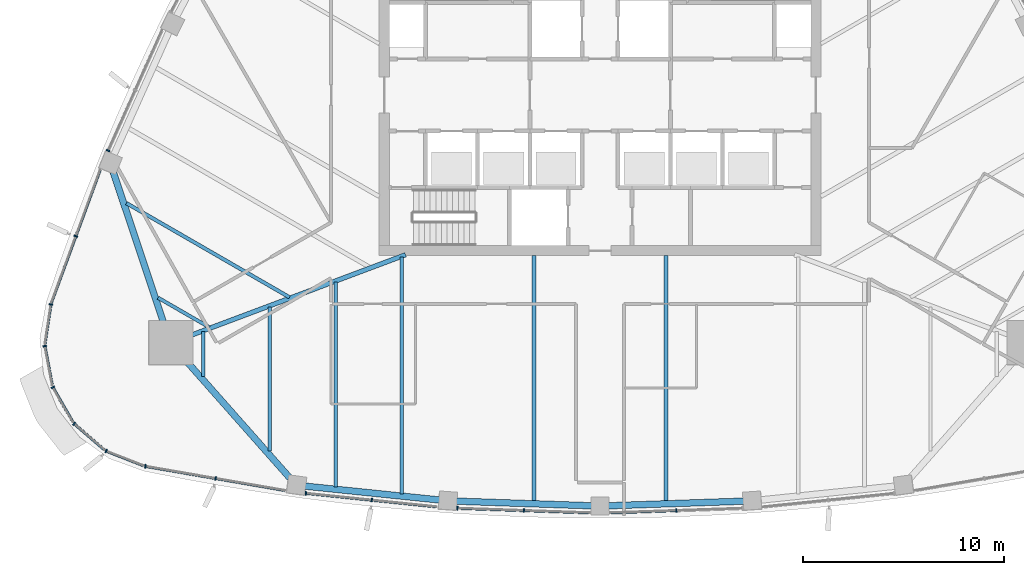
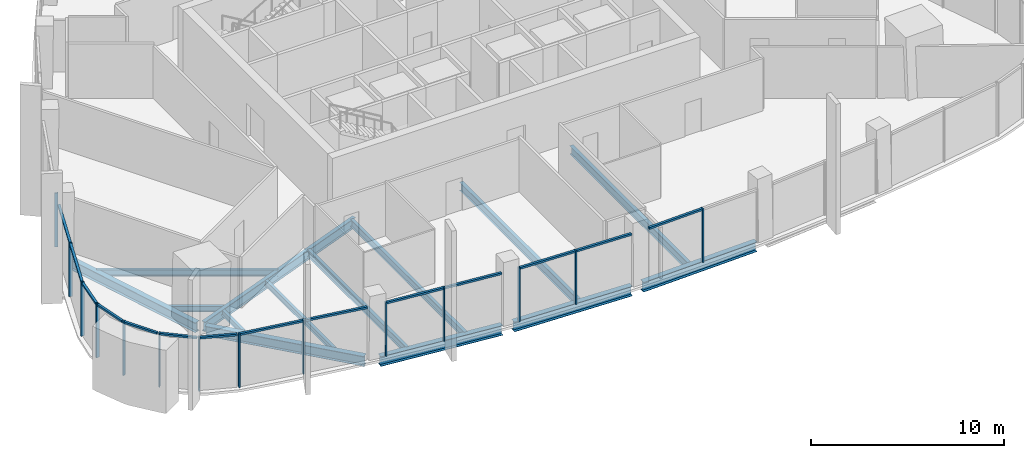
# One storey, part 2 of 18: 28 members, 14 beams, 11 elements without a shape of their own.
"""IFC4 building model written with IfcOpenShell, lengths in metres."""

import ifcopenshell
import ifcopenshell.guid

model = None  # the IFC model being written
_history = None  # IfcOwnerHistory: only IFC2X3 demands one
_inside = {}  # id of a spatial element -> (the spatial element, [elements in it])
_under = {}  # id of a project, library or spatial element -> (it, [spatial elements below it])
_declared = {}  # id of a project -> (the project, [libraries it declares])
_typed = {}  # id of a type object -> (the type object, [elements of that type])
_made_of = {}  # id of a material, layer set ... -> (it, [elements and type objects made of it])


def new_model(schema):
    """Start an empty IFC model of exactly this schema.

    Asked for "IFC4X3", IfcOpenShell would pick the latest addendum, in which some entities
    have other attributes; the version numbers below select the first issue.
    IFC2X3 requires an IfcOwnerHistory on every rooted entity: one is made here for all.
    """
    global model, _history
    if schema == "IFC4X3":
        model = ifcopenshell.file(schema_version=(4, 3, 0, 0))
    else:
        model = ifcopenshell.file(schema=schema)
    _inside.clear()
    _under.clear()
    _declared.clear()
    _typed.clear()
    _made_of.clear()
    _history = None
    if model.schema == "IFC2X3":
        org = make("IfcOrganization", Name="unknown")
        user = make(
            "IfcPersonAndOrganization",
            ThePerson=make("IfcPerson", FamilyName="unknown"),
            TheOrganization=org,
        )
        app = make(
            "IfcApplication",
            ApplicationDeveloper=org,
            Version="unknown",
            ApplicationFullName="unknown",
            ApplicationIdentifier="unknown",
        )
        _history = make(
            "IfcOwnerHistory",
            OwningUser=user,
            OwningApplication=app,
            ChangeAction="ADDED",
            CreationDate=0,
        )
    return model


def make(cls, **values):
    """One entity of the class cls with the attributes given. An attribute that is None is left unset."""
    return model.create_entity(
        cls, **{name: value for name, value in values.items() if value is not None}
    )


def rooted(cls, **values):
    """An entity with a GlobalId (a new one), such as an element, a storey or a relation."""
    return make(cls, GlobalId=ifcopenshell.guid.new(), OwnerHistory=_history, **values)


def si_unit(unit_type, name, prefix=None):
    """IfcSIUnit, for example si_unit("LENGTHUNIT", "METRE", prefix="MILLI")."""
    return make("IfcSIUnit", UnitType=unit_type, Prefix=prefix, Name=name)


def assignment(units):
    """IfcUnitAssignment: the units of a project."""
    return None if units is None else make("IfcUnitAssignment", Units=units)


def point(xyz):
    """IfcCartesianPoint."""
    return None if xyz is None else make("IfcCartesianPoint", Coordinates=xyz)


def direction(xyz):
    """IfcDirection."""
    return None if xyz is None else make("IfcDirection", DirectionRatios=xyz)


def frame(location, z_axis=None, x_axis=None):
    """IfcAxis2Placement3D, a coordinate frame: its origin and axes. An axis left out is left unset."""
    return make(
        "IfcAxis2Placement3D",
        Location=point(location),
        Axis=direction(z_axis),
        RefDirection=direction(x_axis),
    )


def frame_2d(location, x_axis=None):
    """IfcAxis2Placement2D, a coordinate frame in the plane: its origin and x axis."""
    return make(
        "IfcAxis2Placement2D", Location=point(location), RefDirection=direction(x_axis)
    )


def origin():
    """The frame at (0, 0, 0) with its axes left unset."""
    return frame((0.0, 0.0, 0.0))


def origin_2d():
    """The frame at (0, 0) in the plane with its x axis left unset."""
    return frame_2d((0.0, 0.0))


def place(relative_to, where):
    """IfcLocalPlacement: puts the frame where relative to a parent placement (None: the world)."""
    return make(
        "IfcLocalPlacement", PlacementRelTo=relative_to, RelativePlacement=where
    )


def context(
    kind, dimensions, precision=None, world=None, true_north=None, identifier=None
):
    """IfcGeometricRepresentationContext, for example the 3D "Model" context."""
    return make(
        "IfcGeometricRepresentationContext",
        ContextIdentifier=identifier,
        ContextType=kind,
        CoordinateSpaceDimension=dimensions,
        Precision=precision,
        WorldCoordinateSystem=world,
        TrueNorth=true_north,
    )


def subcontext(parent, identifier, kind, view, scale=None):
    """IfcGeometricRepresentationSubContext, for example "Body" below "Model"."""
    return make(
        "IfcGeometricRepresentationSubContext",
        ContextIdentifier=identifier,
        ContextType=kind,
        ParentContext=parent,
        TargetScale=scale,
        TargetView=view,
    )


def project(units=None, contexts=None):
    """IfcProject with its units and contexts."""
    return rooted(
        "IfcProject",
        Name="project",
        RepresentationContexts=contexts,
        UnitsInContext=assignment(units),
    )


def spatial(cls, under=None, at=None, **own):
    """A site, building, storey or space (cls), placed at a placement, below another one or the project."""
    s = rooted(cls, ObjectPlacement=at, **own)
    if under is not None:
        _under.setdefault(under.id(), (under, []))[1].append(s)
    return s


def profile(cls, at=None, kind="AREA", **sizes):
    """A parametric profile (cls). Its sizes go by their IFC names, for example OverallWidth=200.0."""
    return make(cls, ProfileType=kind, Position=at, **sizes)


def rectangle(**sizes):
    """IfcRectangleProfileDef."""
    return profile("IfcRectangleProfileDef", **sizes)


def i_section(**sizes):
    """IfcIShapeProfileDef."""
    return profile("IfcIShapeProfileDef", **sizes)


def extrude(swept, where, along, depth):
    """IfcExtrudedAreaSolid: the profile swept, set in the frame where, extruded along a direction by depth."""
    return make(
        "IfcExtrudedAreaSolid",
        SweptArea=swept,
        Position=where,
        ExtrudedDirection=direction(along),
        Depth=depth,
    )


def shape(context_of_items, identifier, shape_type, items):
    """IfcShapeRepresentation: the items that make up one representation, for example the "Body"."""
    return make(
        "IfcShapeRepresentation",
        ContextOfItems=context_of_items,
        RepresentationIdentifier=identifier,
        RepresentationType=shape_type,
        Items=items,
    )


def material(Name=None, Category=None):
    """IfcMaterial."""
    return make("IfcMaterial", Name=Name, Category=Category)


def layer(
    of_material, thickness, ventilated=None, Name=None, Category=None, Priority=None
):
    """IfcMaterialLayer: one layer of a wall or slab, of a material (None: an air gap)."""
    return make(
        "IfcMaterialLayer",
        Material=of_material,
        LayerThickness=thickness,
        IsVentilated=ventilated,
        Name=Name,
        Category=Category,
        Priority=Priority,
    )


def layer_set(layers, Name=None):
    """IfcMaterialLayerSet."""
    return make("IfcMaterialLayerSet", MaterialLayers=layers, LayerSetName=Name)


def material_profile(
    of_material, cross_section, Name=None, Category=None, Priority=None
):
    """IfcMaterialProfile: a cross section and its material."""
    return make(
        "IfcMaterialProfile",
        Name=Name,
        Material=of_material,
        Profile=cross_section,
        Priority=Priority,
        Category=Category,
    )


def profile_set(profiles, Name=None, composite=None):
    """IfcMaterialProfileSet."""
    return make(
        "IfcMaterialProfileSet",
        Name=Name,
        MaterialProfiles=profiles,
        CompositeProfile=composite,
    )


def made_of(thing, what):
    """Note that an element or type object is made of a material, layer set ...; save() writes the relation."""
    if what is not None:
        _made_of.setdefault(what.id(), (what, []))[1].append(thing)
    return thing


def type_object(cls, material=None, **own):
    """A type object (cls), such as IfcWallType, which elements share."""
    return made_of(rooted(cls, **own), material)


def element(
    cls,
    number,
    at=None,
    inside=None,
    cuts=None,
    type_object=None,
    material=None,
    context=None,
    identifier="Body",
    shape_type=None,
    held_by="IfcProductDefinitionShape",
    body=None,
    shapes=None,
    **own,
):
    """One element of the class cls, such as IfcWall. Its Tag is "e" and its number.

    at: its placement. inside: the storey or other place that contains it. cuts: it is an
    opening in that element (IfcRelVoidsElement). A single representation is given by context,
    identifier, shape_type and body (its items); several are given by shapes. held_by: the class
    of the entity that holds the representations. save() writes the other relations.
    """
    e = rooted(cls, Tag="e%d" % number, ObjectPlacement=at, **own)
    if body is not None:
        shapes = [shape(context, identifier, shape_type, body)]
    if shapes is not None:
        e.Representation = make(held_by, Representations=shapes)
    if inside is not None:
        _inside.setdefault(inside.id(), (inside, []))[1].append(e)
    if cuts is not None:
        rooted(
            "IfcRelVoidsElement", RelatingBuildingElement=cuts, RelatedOpeningElement=e
        )
    if type_object is not None:
        _typed.setdefault(type_object.id(), (type_object, []))[1].append(e)
    return made_of(e, material)


def aggregate(whole, parts):
    """IfcRelAggregates: a whole, such as a stair, and the parts it consists of."""
    return rooted("IfcRelAggregates", RelatingObject=whole, RelatedObjects=parts)


def save(model, path):
    """Write the relations noted so far, then the file.

    IfcRelAggregates (storeys below a building ...), IfcRelContainedInSpatialStructure (elements
    in a storey), IfcRelDefinesByType, IfcRelAssociatesMaterial and IfcRelDeclares: one each for
    every whole, place, type object, material and project.
    """
    for whole, parts in _under.values():
        aggregate(whole, parts)
    for where, things in _inside.values():
        rooted(
            "IfcRelContainedInSpatialStructure",
            RelatedElements=things,
            RelatingStructure=where,
        )
    for kind, things in _typed.values():
        rooted("IfcRelDefinesByType", RelatedObjects=things, RelatingType=kind)
    for what, things in _made_of.values():
        rooted("IfcRelAssociatesMaterial", RelatedObjects=things, RelatingMaterial=what)
    for by, libraries in _declared.values():
        rooted("IfcRelDeclares", RelatingContext=by, RelatedDefinitions=libraries)
    model.write(path)


model = new_model("IFC4")

# Units and contexts
model_context = context("Model", 3, precision=1e-05, world=origin(), true_north=direction((0.0, 1.0)))
body_context = subcontext(model_context, "Body", "Model", "MODEL_VIEW")
ifc_project = project(units=[si_unit("LENGTHUNIT", "METRE"), si_unit("AREAUNIT", "SQUARE_METRE"), si_unit("VOLUMEUNIT", "CUBIC_METRE"), si_unit("PLANEANGLEUNIT", "RADIAN"), si_unit("MASSUNIT", "GRAM", prefix="KILO")], contexts=[model_context])

# Site, building, storey
site_placement = place(None, origin())
site = spatial("IfcSite", under=ifc_project, at=site_placement, CompositionType="ELEMENT")
building_placement = place(site_placement, origin())
building = spatial("IfcBuilding", under=site, at=building_placement, Name="Sierra Prisma Convention Tower", CompositionType="ELEMENT")
storey_placement = place(building_placement, frame((0.0, 0.0, 263.0)))
storey = spatial("IfcBuildingStorey", under=building, at=storey_placement, Name="L59", CompositionType="ELEMENT", Elevation=263.0)

# Curtain wall, members
ifc_material_1 = material(Name="Aluminium and glass curtain wall", Category="aluminium")
ifc_layer = layer(ifc_material_1, 0.179931640625)
ifc_layer_set = layer_set([ifc_layer], Name="CW-1 Plain shaft curtain wall")
curtain_wall_type = type_object("IfcCurtainWallType", Name="CW-1 Plain shaft curtain wall", PredefinedType="NOTDEFINED", material=ifc_layer_set)
curtain_wall_1_placement = place(storey_placement, origin())
curtain_wall_1 = element("IfcCurtainWall", 1, at=curtain_wall_1_placement, inside=storey, type_object=curtain_wall_type, Name="CW-1 S1 L59", PredefinedType="NOTDEFINED")
ifc_material_2 = material(Name="Aluminium 6063-T6 bronze anodised", Category="aluminium")
ifc_material_profile_1 = material_profile(ifc_material_2, rectangle(XDim=0.179931640625, YDim=0.070068359375, at=origin_2d()), Name="ALU MULLION 70x180")
ifc_profile_set_1 = profile_set([ifc_material_profile_1], Name="Aluminium 6063-T6 bronze anodised")
member_type_1 = type_object("IfcMemberType", Name="CW mullion bronze", PredefinedType="MULLION", material=ifc_profile_set_1)
member_1_placement = place(storey_placement, frame((-22.64453125, -18.493896484375, 0.0), z_axis=(0.0, 0.0, 1.0), x_axis=(0.170460967981, 0.985364429232, 0.0)))
member_1 = element("IfcMember", 2, at=member_1_placement, type_object=member_type_1, Name="CW-1 mullion S1.1", PredefinedType="MULLION", context=body_context, shape_type="SweptSolid", body=[
    extrude(rectangle(XDim=0.179931640625, YDim=0.070068359375, at=origin_2d()), origin(), (0.0, 0.0, 1.0), 3.39990234375),
])
member_2_placement = place(storey_placement, frame((-19.150634765625, -19.098388671875, 0.0), z_axis=(0.0, 0.0, 1.0), x_axis=(0.170460967981, 0.985364429232, 0.0)))
member_2 = element("IfcMember", 3, at=member_2_placement, type_object=member_type_1, Name="CW-1 mullion S1.2", PredefinedType="MULLION", context=body_context, shape_type="SweptSolid", body=[
    extrude(rectangle(XDim=0.179931640625, YDim=0.070068359375, at=origin_2d()), origin(), (0.0, 0.0, 1.0), 3.39990234375),
])

curtain_wall_2_placement = place(storey_placement, origin())
curtain_wall_2 = element("IfcCurtainWall", 4, at=curtain_wall_2_placement, inside=storey, type_object=curtain_wall_type, Name="CW-1 S2 L59", PredefinedType="NOTDEFINED")
member_3_placement = place(storey_placement, frame((-14.652587890625, -19.83984375, 0.0), z_axis=(0.0, 0.0, 1.0), x_axis=(0.102597625871, 0.994722939901, 0.0)))
member_3 = element("IfcMember", 5, at=member_3_placement, type_object=member_type_1, Name="CW-1 mullion S2.1", PredefinedType="MULLION", context=body_context, shape_type="SweptSolid", body=[
    extrude(rectangle(XDim=0.179931640625, YDim=0.070068359375, at=origin_2d()), origin(), (0.0, 0.0, 1.0), 3.39990234375),
])
member_4_placement = place(storey_placement, frame((-11.37109375, -20.17822265625, 0.0), z_axis=(0.0, 0.0, 1.0), x_axis=(0.102597625871, 0.994722939901, 0.0)))
member_4 = element("IfcMember", 6, at=member_4_placement, type_object=member_type_1, Name="CW-1 mullion S2.2", PredefinedType="MULLION", context=body_context, shape_type="SweptSolid", body=[
    extrude(rectangle(XDim=0.179931640625, YDim=0.070068359375, at=origin_2d()), origin(), (0.0, 0.0, 1.0), 3.39990234375),
])

curtain_wall_3_placement = place(storey_placement, origin())
curtain_wall_3 = element("IfcCurtainWall", 7, at=curtain_wall_3_placement, inside=storey, type_object=curtain_wall_type, Name="CW-1 S3 L59", PredefinedType="NOTDEFINED")
member_5_placement = place(storey_placement, frame((-7.1103515625, -20.58349609375, 0.0), z_axis=(0.0, 0.0, 1.0), x_axis=(0.034252791572, 0.999413200968, 0.0)))
member_5 = element("IfcMember", 8, at=member_5_placement, type_object=member_type_1, Name="CW-1 mullion S3.1", PredefinedType="MULLION", context=body_context, shape_type="SweptSolid", body=[
    extrude(rectangle(XDim=0.179931640625, YDim=0.070068359375, at=origin_2d()), origin(), (0.0, 0.0, 1.0), 3.39990234375),
])
member_6_placement = place(storey_placement, frame((-3.797607421875, -20.697021484375, 0.0), z_axis=(0.0, 0.0, 1.0), x_axis=(0.034252791572, 0.999413200968, 0.0)))
member_6 = element("IfcMember", 9, at=member_6_placement, type_object=member_type_1, Name="CW-1 mullion S3.2", PredefinedType="MULLION", context=body_context, shape_type="SweptSolid", body=[
    extrude(rectangle(XDim=0.179931640625, YDim=0.070068359375, at=origin_2d()), origin(), (0.0, 0.0, 1.0), 3.39990234375),
])

# Curtain wall, member
curtain_wall_4_placement = place(storey_placement, origin())
curtain_wall_4 = element("IfcCurtainWall", 10, at=curtain_wall_4_placement, inside=storey, type_object=curtain_wall_type, Name="CW-1 S4 L59", PredefinedType="NOTDEFINED")
member_7_placement = place(storey_placement, frame((3.797607421875, -20.697021484375, 0.0), z_axis=(0.0, 0.0, 1.0), x_axis=(-0.034252791572, 0.999413200968, 0.0)))
member_7 = element("IfcMember", 11, at=member_7_placement, type_object=member_type_1, Name="CW-1 mullion S4.2", PredefinedType="MULLION", context=body_context, shape_type="SweptSolid", body=[
    extrude(rectangle(XDim=0.179931640625, YDim=0.070068359375, at=origin_2d()), origin(), (0.0, 0.0, 1.0), 3.39990234375),
])

curtain_wall_5_placement = place(storey_placement, origin())
curtain_wall_5 = element("IfcCurtainWall", 12, at=curtain_wall_5_placement, inside=storey, type_object=curtain_wall_type, Name="CW-1 NW5 L59", PredefinedType="NOTDEFINED")
member_8_placement = place(storey_placement, frame((-24.508056640625, -2.769775390625, 0.0), z_axis=(0.0, 0.0, 1.0), x_axis=(0.912754148617, -0.408509319578, 0.0)))
member_8 = element("IfcMember", 13, at=member_8_placement, type_object=member_type_1, Name="CW-1 mullion NW5.3", PredefinedType="MULLION", context=body_context, shape_type="SweptSolid", body=[
    extrude(rectangle(XDim=0.179931640625, YDim=0.070068359375, at=origin_2d()), origin(), (0.0, 0.0, 1.0), 3.39990234375),
])
aggregate(curtain_wall_5, [member_8])

curtain_wall_6_placement = place(storey_placement, origin())
curtain_wall_6 = element("IfcCurtainWall", 14, at=curtain_wall_6_placement, inside=storey, type_object=curtain_wall_type, Name="CW-1 NW6 L59", PredefinedType="NOTDEFINED")
member_9_placement = place(storey_placement, frame((-26.114990234375, -7.03564453125, 0.0), z_axis=(0.0, 0.0, 1.0), x_axis=(0.93858111169, -0.345058685991, 0.0)))
member_9 = element("IfcMember", 15, at=member_9_placement, type_object=member_type_1, Name="CW-1 mullion NW6.2", PredefinedType="MULLION", context=body_context, shape_type="SweptSolid", body=[
    extrude(rectangle(XDim=0.179931640625, YDim=0.070068359375, at=origin_2d()), origin(), (0.0, 0.0, 1.0), 3.39990234375),
])

curtain_wall_7_placement = place(storey_placement, origin())
curtain_wall_7 = element("IfcCurtainWall", 16, at=curtain_wall_7_placement, inside=storey, type_object=curtain_wall_type, Name="CW-1 SW1 L59", PredefinedType="NOTDEFINED")
member_10_placement = place(storey_placement, frame((-27.355712890625, -10.431396484375, 0.0), z_axis=(0.0, 0.0, 1.0), x_axis=(0.988813821696, -0.149155040222, 0.0)))
member_10 = element("IfcMember", 17, at=member_10_placement, type_object=member_type_1, Name="CW-1 mullion SW1.1", PredefinedType="MULLION", context=body_context, shape_type="SweptSolid", body=[
    extrude(rectangle(XDim=0.179931640625, YDim=0.070068359375, at=origin_2d()), origin(), (0.0, 0.0, 1.0), 3.39990234375),
])

curtain_wall_8_placement = place(storey_placement, origin())
curtain_wall_8 = element("IfcCurtainWall", 18, at=curtain_wall_8_placement, inside=storey, type_object=curtain_wall_type, Name="CW-1 SW2 L59", PredefinedType="NOTDEFINED")
member_11_placement = place(storey_placement, frame((-27.6572265625, -12.506591796875, 0.0), z_axis=(0.0, 0.0, 1.0), x_axis=(0.98257707314, 0.185855576566, 0.0)))
member_11 = element("IfcMember", 19, at=member_11_placement, type_object=member_type_1, Name="CW-1 mullion SW2.1", PredefinedType="MULLION", context=body_context, shape_type="SweptSolid", body=[
    extrude(rectangle(XDim=0.179931640625, YDim=0.070068359375, at=origin_2d()), origin(), (0.0, 0.0, 1.0), 3.39990234375),
])

curtain_wall_9_placement = place(storey_placement, origin())
curtain_wall_9 = element("IfcCurtainWall", 20, at=curtain_wall_9_placement, inside=storey, type_object=curtain_wall_type, Name="CW-1 SW3 L59", PredefinedType="NOTDEFINED")
member_12_placement = place(storey_placement, frame((-27.256103515625, -14.56494140625, 0.0), z_axis=(0.0, 0.0, 1.0), x_axis=(0.866025403784, 0.5, 0.0)))
member_12 = element("IfcMember", 21, at=member_12_placement, type_object=member_type_1, Name="CW-1 mullion SW3.1", PredefinedType="MULLION", context=body_context, shape_type="SweptSolid", body=[
    extrude(rectangle(XDim=0.179931640625, YDim=0.070068359375, at=origin_2d()), origin(), (0.0, 0.0, 1.0), 3.39990234375),
])

curtain_wall_10_placement = place(storey_placement, origin())
curtain_wall_10 = element("IfcCurtainWall", 22, at=curtain_wall_10_placement, inside=storey, type_object=curtain_wall_type, Name="CW-1 SW4 L59", PredefinedType="NOTDEFINED")
member_13_placement = place(storey_placement, frame((-26.197509765625, -16.375244140625, 0.0), z_axis=(0.0, 0.0, 1.0), x_axis=(0.652244187311, 0.758008918232, 0.0)))
member_13 = element("IfcMember", 23, at=member_13_placement, type_object=member_type_1, Name="CW-1 mullion SW4.1", PredefinedType="MULLION", context=body_context, shape_type="SweptSolid", body=[
    extrude(rectangle(XDim=0.179931640625, YDim=0.070068359375, at=origin_2d()), origin(), (0.0, 0.0, 1.0), 3.39990234375),
])

curtain_wall_11_placement = place(storey_placement, origin())
curtain_wall_11 = element("IfcCurtainWall", 24, at=curtain_wall_11_placement, inside=storey, type_object=curtain_wall_type, Name="CW-1 SW5 L59", PredefinedType="NOTDEFINED")
member_14_placement = place(storey_placement, frame((-24.6005859375, -17.734130859375, 0.0), z_axis=(0.0, 0.0, 1.0), x_axis=(0.365234856913, 0.930915409313, 0.0)))
member_14 = element("IfcMember", 25, at=member_14_placement, type_object=member_type_1, Name="CW-1 mullion SW5.1", PredefinedType="MULLION", context=body_context, shape_type="SweptSolid", body=[
    extrude(rectangle(XDim=0.179931640625, YDim=0.070068359375, at=origin_2d()), origin(), (0.0, 0.0, 1.0), 3.39990234375),
])

# Member
ifc_material_3 = material(Name="Aluminium 6063-T6 bronze anodised", Category="aluminium")
ifc_material_profile_2 = material_profile(ifc_material_3, rectangle(XDim=0.139892578125, YDim=0.1201171875, at=origin_2d()), Name="ALU TRANSOM 120x140")
ifc_profile_set_2 = profile_set([ifc_material_profile_2], Name="Aluminium 6063-T6 bronze anodised")
member_type_2 = type_object("IfcMemberType", Name="CW transom bronze", PredefinedType="USERDEFINED", material=ifc_profile_set_2)
member_15_placement = place(storey_placement, frame((-22.610107421875, -18.5, 3.340087890625), z_axis=(0.985363440864, -0.17046668123, 0.0), x_axis=(0.17046668123, 0.985363440864, 0.0)))
member_15 = element("IfcMember", 26, at=member_15_placement, type_object=member_type_2, Name="CW-1 transom S1.1", ObjectType="TRANSOM", PredefinedType="USERDEFINED", context=body_context, shape_type="SweptSolid", body=[
    extrude(rectangle(XDim=0.139892578125, YDim=0.1201171875, at=origin_2d()), origin(), (0.0, 0.0, 1.0), 3.475830078125),
])

member_16_placement = place(storey_placement, frame((-19.1162109375, -19.104248046875, 3.340087890625), z_axis=(0.985363440864, -0.17046668123, 0.0), x_axis=(0.17046668123, 0.985363440864, 0.0)))
member_16 = element("IfcMember", 27, at=member_16_placement, type_object=member_type_2, Name="CW-1 transom S1.2", ObjectType="TRANSOM", PredefinedType="USERDEFINED", context=body_context, shape_type="SweptSolid", body=[
    extrude(rectangle(XDim=0.139892578125, YDim=0.1201171875, at=origin_2d()), origin(), (0.0, 0.0, 1.0), 3.475830078125),
])

aggregate(curtain_wall_1, [member_1, member_2, member_15, member_16])

member_17_placement = place(storey_placement, frame((-14.617919921875, -19.84326171875, 3.340087890625), z_axis=(0.99472243827, -0.102602489262, 0.0), x_axis=(0.102602489262, 0.99472243827, 0.0)))
member_17 = element("IfcMember", 28, at=member_17_placement, type_object=member_type_2, Name="CW-1 transom S2.1", ObjectType="TRANSOM", PredefinedType="USERDEFINED", context=body_context, shape_type="SweptSolid", body=[
    extrude(rectangle(XDim=0.139892578125, YDim=0.1201171875, at=origin_2d()), origin(), (0.0, 0.0, 1.0), 3.22900390625),
])

member_18_placement = place(storey_placement, frame((-11.33642578125, -20.181884765625, 3.340087890625), z_axis=(0.99472243827, -0.102602489262, 0.0), x_axis=(0.102602489262, 0.99472243827, 0.0)))
member_18 = element("IfcMember", 29, at=member_18_placement, type_object=member_type_2, Name="CW-1 transom S2.2", ObjectType="TRANSOM", PredefinedType="USERDEFINED", context=body_context, shape_type="SweptSolid", body=[
    extrude(rectangle(XDim=0.139892578125, YDim=0.1201171875, at=origin_2d()), origin(), (0.0, 0.0, 1.0), 3.22900390625),
])

aggregate(curtain_wall_2, [member_3, member_4, member_17, member_18])

member_19_placement = place(storey_placement, frame((-7.075439453125, -20.584716796875, 3.340087890625), z_axis=(0.999413836906, -0.034234231408, 0.0), x_axis=(0.034234231408, 0.999413836906, 0.0)))
member_19 = element("IfcMember", 30, at=member_19_placement, type_object=member_type_2, Name="CW-1 transom S3.1", ObjectType="TRANSOM", PredefinedType="USERDEFINED", context=body_context, shape_type="SweptSolid", body=[
    extrude(rectangle(XDim=0.139892578125, YDim=0.1201171875, at=origin_2d()), origin(), (0.0, 0.0, 1.0), 3.244873046875),
])

member_20_placement = place(storey_placement, frame((-3.762451171875, -20.6982421875, 3.340087890625), z_axis=(0.999413748716, -0.034236805878, 0.0), x_axis=(0.034236805878, 0.999413748716, 0.0)))
member_20 = element("IfcMember", 31, at=member_20_placement, type_object=member_type_2, Name="CW-1 transom S3.2", ObjectType="TRANSOM", PredefinedType="USERDEFINED", context=body_context, shape_type="SweptSolid", body=[
    extrude(rectangle(XDim=0.139892578125, YDim=0.1201171875, at=origin_2d()), origin(), (0.0, 0.0, 1.0), 3.24462890625),
])

aggregate(curtain_wall_3, [member_5, member_6, member_19, member_20])

member_21_placement = place(storey_placement, frame((0.519775390625, -20.809326171875, 3.340087890625), z_axis=(0.999413748716, 0.034236805878, 0.0), x_axis=(-0.034236805878, 0.999413748716, 0.0)))
member_21 = element("IfcMember", 32, at=member_21_placement, type_object=member_type_2, Name="CW-1 transom S4.1", ObjectType="TRANSOM", PredefinedType="USERDEFINED", context=body_context, shape_type="SweptSolid", body=[
    extrude(rectangle(XDim=0.139892578125, YDim=0.1201171875, at=origin_2d()), origin(), (0.0, 0.0, 1.0), 3.24462890625),
])

aggregate(curtain_wall_4, [member_7, member_21])

member_22_placement = place(storey_placement, frame((-24.903564453125, -3.740478515625, 3.340087890625), z_axis=(-0.345073833792, -0.938575542635, 0.0), x_axis=(0.938575542635, -0.345073833792, 0.0)))
member_22 = element("IfcMember", 33, at=member_22_placement, type_object=member_type_2, Name="CW-1 transom NW6.1", ObjectType="TRANSOM", PredefinedType="USERDEFINED", context=body_context, shape_type="SweptSolid", body=[
    extrude(rectangle(XDim=0.139892578125, YDim=0.1201171875, at=origin_2d()), origin(), (0.0, 0.0, 1.0), 3.47607421875),
])

member_23_placement = place(storey_placement, frame((-26.127197265625, -7.068603515625, 3.340087890625), z_axis=(-0.345011958178, -0.93859828932, 0.0), x_axis=(0.93859828932, -0.345011958178, 0.0)))
member_23 = element("IfcMember", 34, at=member_23_placement, type_object=member_type_2, Name="CW-1 transom NW6.2", ObjectType="TRANSOM", PredefinedType="USERDEFINED", context=body_context, shape_type="SweptSolid", body=[
    extrude(rectangle(XDim=0.139892578125, YDim=0.1201171875, at=origin_2d()), origin(), (0.0, 0.0, 1.0), 3.475830078125),
])

aggregate(curtain_wall_6, [member_9, member_22, member_23])

member_24_placement = place(storey_placement, frame((-27.361083984375, -10.4658203125, 3.340087890625), z_axis=(-0.149181419355, -0.988809842244, 0.0), x_axis=(0.988809842244, -0.149181419355, 0.0)))
member_24 = element("IfcMember", 35, at=member_24_placement, type_object=member_type_2, Name="CW-1 transom SW1.1", ObjectType="TRANSOM", PredefinedType="USERDEFINED", context=body_context, shape_type="SweptSolid", body=[
    extrude(rectangle(XDim=0.139892578125, YDim=0.1201171875, at=origin_2d()), origin(), (0.0, 0.0, 1.0), 1.958984375),
])

aggregate(curtain_wall_7, [member_10, member_24])

member_25_placement = place(storey_placement, frame((-27.650634765625, -12.541015625, 3.340087890625), z_axis=(0.185823376024, -0.982583163362, 0.0), x_axis=(0.982583163362, 0.185823376024, 0.0)))
member_25 = element("IfcMember", 36, at=member_25_placement, type_object=member_type_2, Name="CW-1 transom SW2.1", ObjectType="TRANSOM", PredefinedType="USERDEFINED", context=body_context, shape_type="SweptSolid", body=[
    extrude(rectangle(XDim=0.139892578125, YDim=0.1201171875, at=origin_2d()), origin(), (0.0, 0.0, 1.0), 1.958984375),
])

aggregate(curtain_wall_8, [member_11, member_25])

member_26_placement = place(storey_placement, frame((-27.238525390625, -14.59521484375, 3.340087890625), z_axis=(0.499999343788, -0.866025782648, 0.0), x_axis=(0.866025782648, 0.499999343788, 0.0)))
member_26 = element("IfcMember", 37, at=member_26_placement, type_object=member_type_2, Name="CW-1 transom SW3.1", ObjectType="TRANSOM", PredefinedType="USERDEFINED", context=body_context, shape_type="SweptSolid", body=[
    extrude(rectangle(XDim=0.139892578125, YDim=0.1201171875, at=origin_2d()), origin(), (0.0, 0.0, 1.0), 1.958984375),
])

aggregate(curtain_wall_9, [member_12, member_26])

member_27_placement = place(storey_placement, frame((-26.171142578125, -16.39794921875, 3.340087890625), z_axis=(0.75802376869, -0.652226928378, 0.0), x_axis=(0.652226928378, 0.75802376869, 0.0)))
member_27 = element("IfcMember", 38, at=member_27_placement, type_object=member_type_2, Name="CW-1 transom SW4.1", ObjectType="TRANSOM", PredefinedType="USERDEFINED", context=body_context, shape_type="SweptSolid", body=[
    extrude(rectangle(XDim=0.139892578125, YDim=0.1201171875, at=origin_2d()), origin(), (0.0, 0.0, 1.0), 1.959228515625),
])

aggregate(curtain_wall_10, [member_13, member_27])

member_28_placement = place(storey_placement, frame((-24.56787109375, -17.746826171875, 3.340087890625), z_axis=(0.930905910703, -0.365259066168, 0.0), x_axis=(0.365259066168, 0.930905910703, 0.0)))
member_28 = element("IfcMember", 39, at=member_28_placement, type_object=member_type_2, Name="CW-1 transom SW5.1", ObjectType="TRANSOM", PredefinedType="USERDEFINED", context=body_context, shape_type="SweptSolid", body=[
    extrude(rectangle(XDim=0.139892578125, YDim=0.1201171875, at=origin_2d()), origin(), (0.0, 0.0, 1.0), 1.958984375),
])

aggregate(curtain_wall_11, [member_14, member_28])

# Beams
ifc_material_4 = material(Name="Steel ASTM A992 Gr 50", Category="steel")
ifc_material_profile_3 = material_profile(ifc_material_4, i_section(OverallWidth=0.172119140625, OverallDepth=0.35791015625, WebThickness=0.0078125, FlangeThickness=0.01318359375, at=origin_2d()), Name="W360x57")
ifc_profile_set_3 = profile_set([ifc_material_profile_3], Name="Steel ASTM A992 Gr 50")
beam_type_1 = type_object("IfcBeamType", Name="Floor joist W360x57", PredefinedType="JOIST", material=ifc_profile_set_3)
beam_1_placement = place(storey_placement, frame((-19.75439453125, -14.020263671875, -0.3291015625), z_axis=(0.0, 1.0, 0.0), x_axis=(-1.0, 0.0, 0.0)))
element("IfcBeam", 40, at=beam_1_placement, inside=storey, type_object=beam_type_1, Name="Floor joist L59 S01", PredefinedType="JOIST", context=body_context, shape_type="SweptSolid", body=[
    extrude(i_section(OverallWidth=0.172119140625, OverallDepth=0.35791015625, WebThickness=0.0078125, FlangeThickness=0.01318359375, at=origin_2d()), origin(), (0.0, 0.0, 1.0), 2.233642578125),
])
beam_2_placement = place(storey_placement, frame((-16.4619140625, -17.739990234375, -0.3291015625), z_axis=(0.0, 1.0, 0.0), x_axis=(-1.0, 0.0, 0.0)))
element("IfcBeam", 41, at=beam_2_placement, inside=storey, type_object=beam_type_1, Name="Floor joist L59 S02", PredefinedType="JOIST", context=body_context, shape_type="SweptSolid", body=[
    extrude(i_section(OverallWidth=0.172119140625, OverallDepth=0.35791015625, WebThickness=0.0078125, FlangeThickness=0.01318359375, at=origin_2d()), origin(), (0.0, 0.0, 1.0), 7.189453125),
])
beam_3_placement = place(storey_placement, frame((-22.01904296875, -10.09765625, -0.3291015625), z_axis=(0.866050908157, -0.499955822529, 0.0), x_axis=(0.499955822529, 0.866050908157, 0.0)))
element("IfcBeam", 42, at=beam_3_placement, inside=storey, type_object=beam_type_1, Name="Floor joist L59 NW13", PredefinedType="JOIST", context=body_context, shape_type="SweptSolid", body=[
    extrude(i_section(OverallWidth=0.172119140625, OverallDepth=0.35791015625, WebThickness=0.0078125, FlangeThickness=0.01318359375, at=origin_2d()), origin(), (0.0, 0.0, 1.0), 2.958251953125),
])
ifc_material_5 = material(Name="Steel ASTM A992 Gr 50", Category="steel")
ifc_material_profile_4 = material_profile(ifc_material_5, i_section(OverallWidth=0.177978515625, OverallDepth=0.406982421875, WebThickness=0.0078125, FlangeThickness=0.0126953125, at=origin_2d()), Name="W410x60")
ifc_profile_set_4 = profile_set([ifc_material_profile_4], Name="Steel ASTM A992 Gr 50")
beam_type_2 = type_object("IfcBeamType", Name="Floor joist W410x60", PredefinedType="JOIST", material=ifc_profile_set_4)
beam_4_placement = place(storey_placement, frame((-23.59423828125, -5.386474609375, -0.353515625), z_axis=(0.866030057461, -0.49999193951, 0.0), x_axis=(0.49999193951, 0.866030057461, 0.0)))
element("IfcBeam", 43, at=beam_4_placement, inside=storey, type_object=beam_type_2, Name="Floor joist L59 NW12", PredefinedType="JOIST", context=body_context, shape_type="SweptSolid", body=[
    extrude(i_section(OverallWidth=0.177978515625, OverallDepth=0.406982421875, WebThickness=0.0078125, FlangeThickness=0.0126953125, at=origin_2d()), origin(), (0.0, 0.0, 1.0), 9.384521484375),
])
ifc_material_6 = material(Name="Steel ASTM A992 Gr 50", Category="steel")
ifc_material_profile_5 = material_profile(ifc_material_6, i_section(OverallWidth=0.18994140625, OverallDepth=0.45703125, WebThickness=0.009033203125, FlangeThickness=0.014404296875, at=origin_2d()), Name="W460x74")
ifc_profile_set_5 = profile_set([ifc_material_profile_5], Name="Steel ASTM A992 Gr 50")
beam_type_3 = type_object("IfcBeamType", Name="Floor joist W460x74", PredefinedType="JOIST", material=ifc_profile_set_5)
beam_5_placement = place(storey_placement, frame((-13.16943359375, -19.52783203125, -0.37841796875), z_axis=(0.0, 1.0, 0.0), x_axis=(-1.0, 0.0, 0.0)))
element("IfcBeam", 44, at=beam_5_placement, inside=storey, type_object=beam_type_3, Name="Floor joist L59 S03", PredefinedType="JOIST", context=body_context, shape_type="SweptSolid", body=[
    extrude(i_section(OverallWidth=0.18994140625, OverallDepth=0.45703125, WebThickness=0.009033203125, FlangeThickness=0.014404296875, at=origin_2d()), origin(), (0.0, 0.0, 1.0), 10.213623046875),
])
beam_6_placement = place(storey_placement, frame((-9.877197265625, -19.8671875, -0.37841796875), z_axis=(0.0, 1.0, 0.0), x_axis=(-1.0, 0.0, 0.0)))
element("IfcBeam", 45, at=beam_6_placement, inside=storey, type_object=beam_type_3, Name="Floor joist L59 S04", PredefinedType="JOIST", context=body_context, shape_type="SweptSolid", body=[
    extrude(i_section(OverallWidth=0.18994140625, OverallDepth=0.45703125, WebThickness=0.009033203125, FlangeThickness=0.014404296875, at=origin_2d()), origin(), (0.0, 0.0, 1.0), 11.7890625),
])
ifc_material_7 = material(Name="Steel ASTM A992 Gr 50", Category="steel")
ifc_material_profile_6 = material_profile(ifc_material_7, i_section(OverallWidth=0.208984375, OverallDepth=0.532958984375, WebThickness=0.01025390625, FlangeThickness=0.015625, at=origin_2d()), Name="W530x92")
ifc_profile_set_6 = profile_set([ifc_material_profile_6], Name="Steel ASTM A992 Gr 50")
beam_type_4 = type_object("IfcBeamType", Name="Floor joist W530x92", PredefinedType="JOIST", material=ifc_profile_set_6)
for number, where, z_axis, x_axis, name in (
    (46, (-3.29248046875, -20.251708984375, -0.41650390625), (0.0, 1.0, 0.0), (-1.0, 0.0, 0.0), "Floor joist L59 S06"),
    (47, (3.29248046875, -20.251708984375, -0.41650390625), (0.0, 1.0, 0.0), (-1.0, 0.0, 0.0), "Floor joist L59 S08"),
):
    element("IfcBeam", number, at=place(storey_placement, frame(where, z_axis=z_axis, x_axis=x_axis)), inside=storey, type_object=beam_type_4, Name=name, PredefinedType="JOIST", context=body_context, shape_type="SweptSolid", body=[
        extrude(i_section(OverallWidth=0.208984375, OverallDepth=0.532958984375, WebThickness=0.01025390625, FlangeThickness=0.015625, at=origin_2d()), origin(), (0.0, 0.0, 1.0), 12.251708984375),
    ])
ifc_material_8 = material(Name="Steel ASTM A992 Gr 50", Category="steel")
ifc_material_profile_7 = material_profile(ifc_material_8, i_section(OverallWidth=0.22998046875, OverallDepth=0.616943359375, WebThickness=0.01318359375, FlangeThickness=0.022216796875, at=origin_2d()), Name="W610x140")
ifc_profile_set_7 = profile_set([ifc_material_profile_7], Name="Steel ASTM A992 Gr 50")
beam_type_5 = type_object("IfcBeamType", Name="Radial girder W610x140", PredefinedType="BEAM", material=ifc_profile_set_7)
beam_7_placement = place(storey_placement, frame((-21.180419921875, -12.27294921875, -0.45849609375), z_axis=(0.936183618864, 0.351511353686, 0.0), x_axis=(-0.351511353686, 0.936183618864, 0.0)))
element("IfcBeam", 48, at=beam_7_placement, inside=storey, type_object=beam_type_5, Name="Radial girder L59 SW", PredefinedType="BEAM", context=body_context, shape_type="SweptSolid", body=[
    extrude(i_section(OverallWidth=0.22998046875, OverallDepth=0.616943359375, WebThickness=0.01318359375, FlangeThickness=0.022216796875, at=origin_2d()), origin(), (0.0, 0.0, 1.0), 12.276123046875),
])
ifc_material_9 = material(Name="Steel ASTM A992 Gr 50", Category="steel")
ifc_material_profile_8 = material_profile(ifc_material_9, i_section(OverallWidth=0.324951171875, OverallDepth=0.615966796875, WebThickness=0.013916015625, FlangeThickness=0.021484375, at=origin_2d()), Name="W610x174")
ifc_profile_set_8 = profile_set([ifc_material_profile_8], Name="Steel ASTM A992 Gr 50")
beam_type_6 = type_object("IfcBeamType", Name="Spandrel beam W610x174", PredefinedType="BEAM", material=ifc_profile_set_8)
beam_8_placement = place(storey_placement, frame((-21.205810546875, -12.57568359375, -0.4580078125), z_axis=(0.662782931105, -0.7488115826, 0.0), x_axis=(0.7488115826, 0.662782931105, 0.0)))
element("IfcBeam", 49, at=beam_8_placement, inside=storey, type_object=beam_type_6, Name="Spandrel L59-01", PredefinedType="BEAM", context=body_context, shape_type="SweptSolid", body=[
    extrude(i_section(OverallWidth=0.324951171875, OverallDepth=0.615966796875, WebThickness=0.013916015625, FlangeThickness=0.021484375, at=origin_2d()), origin(), (0.0, 0.0, 1.0), 8.6923828125),
])
for number, where, z_axis, x_axis, name in (
    (50, (-14.802490234375, -19.47265625, -0.4580078125), (0.994723218016, -0.102594929409, 0.0), (0.102594929409, 0.994723218016, 0.0), "Spandrel L59-02"),
    (51, (-7.253173828125, -20.228515625, -0.4580078125), (0.999413052206, -0.03425713181, 0.0), (0.03425713181, 0.999413052206, 0.0), "Spandrel L59-03"),
    (52, (0.330078125, -20.4658203125, -0.4580078125), (0.999413052206, 0.03425713181, 0.0), (-0.03425713181, 0.999413052206, 0.0), "Spandrel L59-04"),
):
    element("IfcBeam", number, at=place(storey_placement, frame(where, z_axis=z_axis, x_axis=x_axis)), inside=storey, type_object=beam_type_6, Name=name, PredefinedType="BEAM", context=body_context, shape_type="SweptSolid", body=[
        extrude(i_section(OverallWidth=0.324951171875, OverallDepth=0.615966796875, WebThickness=0.013916015625, FlangeThickness=0.021484375, at=origin_2d()), origin(), (0.0, 0.0, 1.0), 6.92724609375),
    ])
beam_9_placement = place(storey_placement, frame((-24.25, -3.8330078125, -0.4580078125), z_axis=(0.317089382424, -0.948395657705, 0.0), x_axis=(0.948395657705, 0.317089382424, 0.0)))
element("IfcBeam", 53, at=beam_9_placement, inside=storey, type_object=beam_type_6, Name="Spandrel L59-18", PredefinedType="BEAM", context=body_context, shape_type="SweptSolid", body=[
    extrude(i_section(OverallWidth=0.324951171875, OverallDepth=0.615966796875, WebThickness=0.013916015625, FlangeThickness=0.021484375, at=origin_2d()), origin(), (0.0, 0.0, 1.0), 8.754150390625),
])

save(model, "model.ifc")
